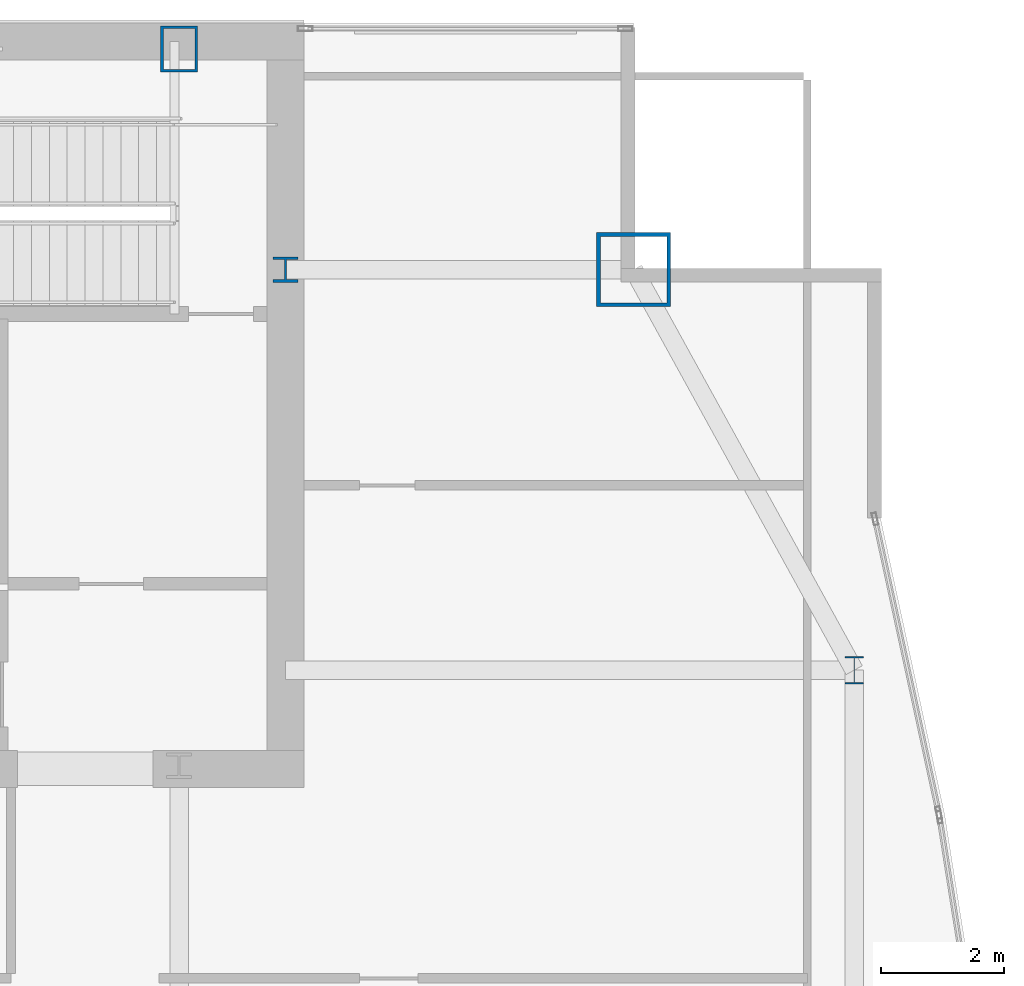
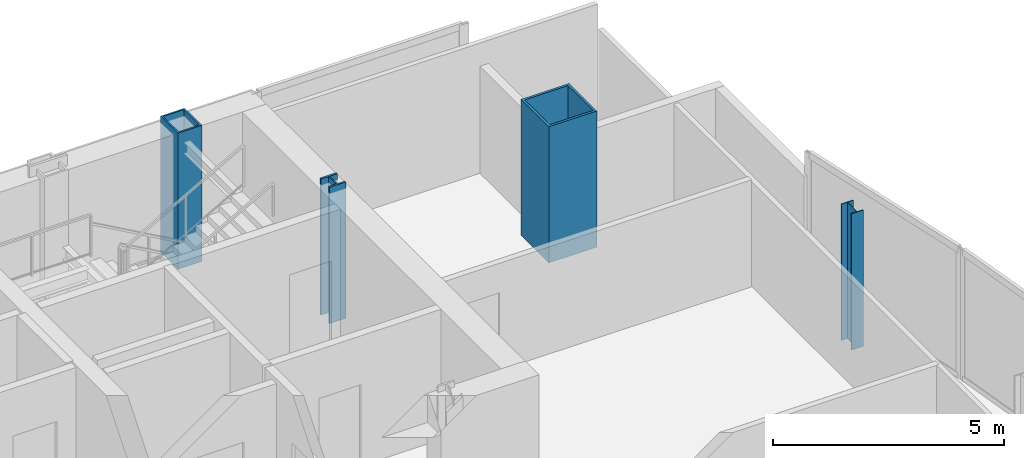
# One storey, part 4 of 30: 4 columns.
"""IFC4 building model written with IfcOpenShell, lengths in metres."""

from ifc_helpers import new_model, si_unit, direction, frame, origin, origin_2d, place, context, subcontext, project, spatial, hollow_rectangle, i_section, extrude, material, material_profile, profile_set, type_object, element, save


model = new_model("IFC4")

# Units and contexts
model_context = context("Model", 3, precision=1e-05, world=origin(), true_north=direction((0.0, 1.0)))
body_context = subcontext(model_context, "Body", "Model", "MODEL_VIEW")
ifc_project = project(units=[si_unit("LENGTHUNIT", "METRE"), si_unit("AREAUNIT", "SQUARE_METRE"), si_unit("VOLUMEUNIT", "CUBIC_METRE"), si_unit("PLANEANGLEUNIT", "RADIAN"), si_unit("MASSUNIT", "GRAM", prefix="KILO")], contexts=[model_context])

# Site, building, storey
site_placement = place(None, origin())
site = spatial("IfcSite", under=ifc_project, at=site_placement, CompositionType="ELEMENT")
building_placement = place(site_placement, origin())
building = spatial("IfcBuilding", under=site, at=building_placement, Name="Khoronbel Lancet Exchange", CompositionType="ELEMENT")
storey_placement = place(building_placement, frame((0.0, 0.0, 217.39990234375)))
storey = spatial("IfcBuildingStorey", under=building, at=storey_placement, Name="L55", CompositionType="ELEMENT", Elevation=217.39990234375)

# Columns
ifc_material_1 = material(Name="Steel S460", Category="steel")
ifc_material_profile_1 = material_profile(ifc_material_1, hollow_rectangle(XDim=0.60009765625, YDim=0.75, WallThickness=0.044921875, at=origin_2d()), Name="BOX 750x600x45")
ifc_profile_set_1 = profile_set([ifc_material_profile_1], Name="Steel S460")
column_type_1 = type_object("IfcColumnType", Name="COL-EC3", PredefinedType="COLUMN", material=ifc_profile_set_1)
column_1_placement = place(storey_placement, frame((54.675048828125, 53.280029296875, 0.0), z_axis=(0.0, 0.0, 1.0), x_axis=(1.0, 0.0, 0.0)))
element("IfcColumn", 1, at=column_1_placement, inside=storey, type_object=column_type_1, Name="Structural column NC-E2 L55", PredefinedType="COLUMN", context=body_context, shape_type="SweptSolid", body=[
    extrude(hollow_rectangle(XDim=0.60009765625, YDim=0.75, WallThickness=0.044921875, at=origin_2d()), origin(), (0.0, 0.0, 1.0), 3.60009765625),
])
ifc_material_2 = material(Name="Steel S355", Category="steel")
ifc_material_profile_2 = material_profile(ifc_material_2, i_section(OverallWidth=0.406005859375, OverallDepth=0.416015625, WebThickness=0.02978515625, FlangeThickness=0.048095703125, at=origin_2d()), Name="HD 400x382")
ifc_profile_set_2 = profile_set([ifc_material_profile_2], Name="Steel S355")
column_type_2 = type_object("IfcColumnType", Name="COL-IC3", PredefinedType="COLUMN", material=ifc_profile_set_2)
column_2_placement = place(storey_placement, frame((56.39990234375, 49.699951171875, 0.0), z_axis=(0.0, 0.0, 1.0), x_axis=(1.0, 0.0, 0.0)))
element("IfcColumn", 2, at=column_2_placement, inside=storey, type_object=column_type_2, Name="Core-flank plumb transfer column CFE L55", PredefinedType="COLUMN", context=body_context, shape_type="SweptSolid", body=[
    extrude(i_section(OverallWidth=0.406005859375, OverallDepth=0.416015625, WebThickness=0.02978515625, FlangeThickness=0.048095703125, at=origin_2d()), origin(), (0.0, 0.0, 1.0), 3.60009765625),
])
ifc_material_profile_3 = material_profile(ifc_material_2, i_section(OverallWidth=0.300048828125, OverallDepth=0.449951171875, WebThickness=0.013916015625, FlangeThickness=0.02587890625, at=origin_2d()), Name="HEB 450")
ifc_profile_set_3 = profile_set([ifc_material_profile_3], Name="Steel S355")
column_type_3 = type_object("IfcColumnType", Name="COL-LC2", PredefinedType="COLUMN", material=ifc_profile_set_3)
column_3_placement = place(storey_placement, frame((65.6298828125, 43.199951171875, 0.0), z_axis=(0.0, 0.0, 1.0), x_axis=(1.0, 0.0, 0.0)))
element("IfcColumn", 3, at=column_3_placement, inside=storey, type_object=column_type_3, Name="Structural column EC-4 L55", PredefinedType="COLUMN", context=body_context, shape_type="SweptSolid", body=[
    extrude(i_section(OverallWidth=0.300048828125, OverallDepth=0.449951171875, WebThickness=0.013916015625, FlangeThickness=0.02587890625, at=origin_2d()), origin(), (0.0, 0.0, 1.0), 3.60009765625),
])
ifc_material_profile_4 = material_profile(ifc_material_1, hollow_rectangle(XDim=1.199951171875, YDim=1.199951171875, WallThickness=0.06005859375, at=origin_2d()), Name="BOX 1200x1200x60")
ifc_profile_set_4 = profile_set([ifc_material_profile_4], Name="Steel S460")
column_type_4 = type_object("IfcColumnType", Name="COL-MC5", PredefinedType="COLUMN", material=ifc_profile_set_4)
column_4_placement = place(storey_placement, frame((62.050048828125, 49.699951171875, 0.0), z_axis=(0.0, 0.0, 1.0), x_axis=(1.0, 0.0, 0.0)))
element("IfcColumn", 4, at=column_4_placement, inside=storey, type_object=column_type_4, Name="Structural column MC-NE L55", PredefinedType="COLUMN", context=body_context, shape_type="SweptSolid", body=[
    extrude(hollow_rectangle(XDim=1.199951171875, YDim=1.199951171875, WallThickness=0.06005859375, at=origin_2d()), origin(), (0.0, 0.0, 1.0), 3.60009765625),
])

save(model, "model.ifc")
